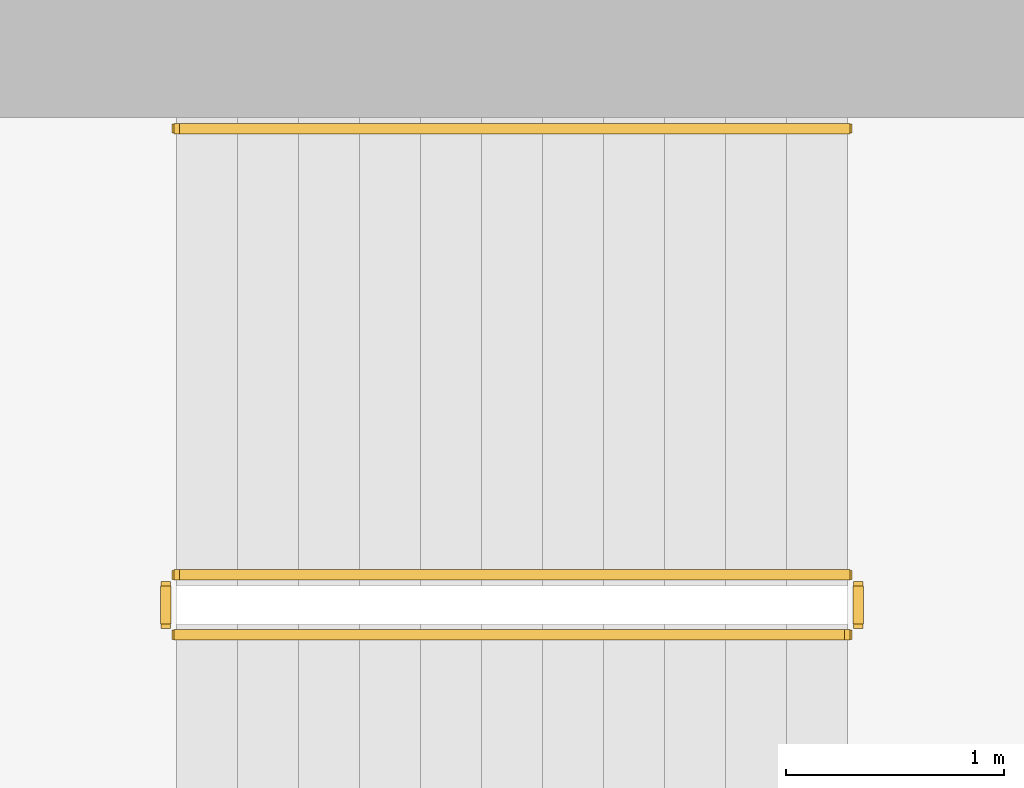
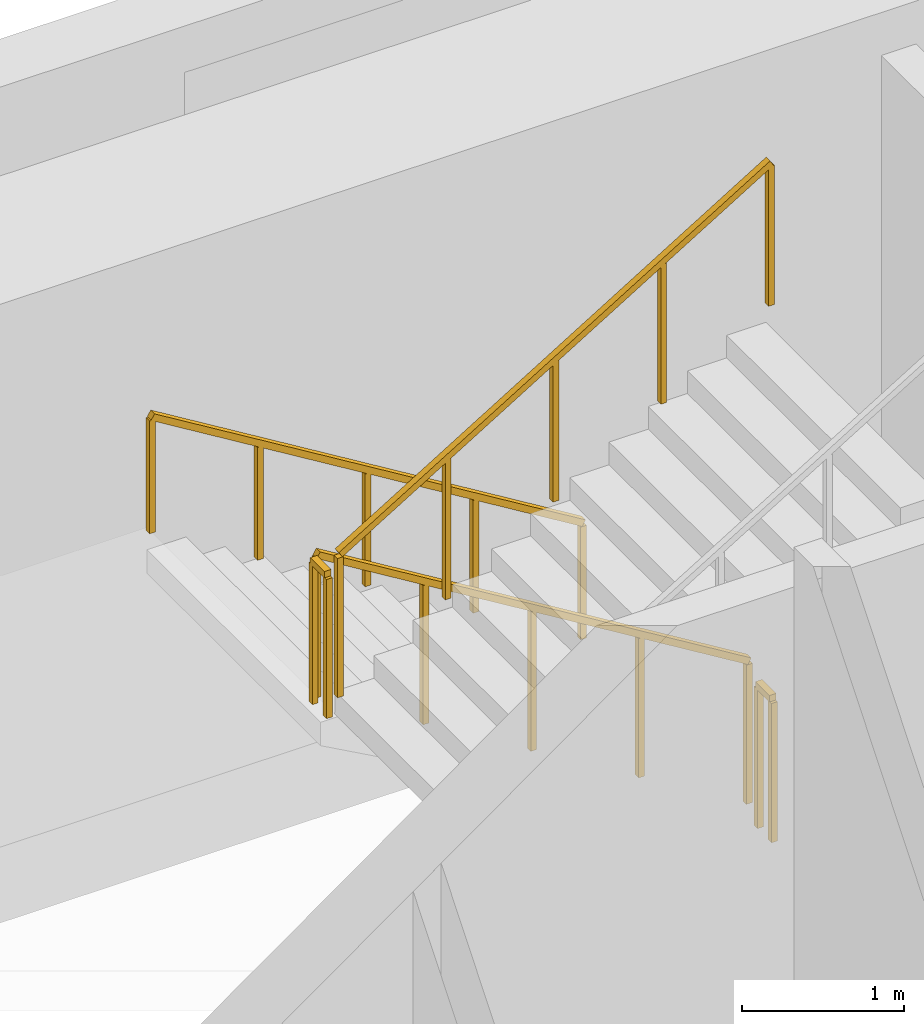
# One storey, part 13 of 14: 5 railings.
"""IFC4 building model written with IfcOpenShell, lengths in metres."""

import ifcopenshell
import ifcopenshell.guid

model = None  # the IFC model being written
_history = None  # IfcOwnerHistory: only IFC2X3 demands one
_inside = {}  # id of a spatial element -> (the spatial element, [elements in it])
_under = {}  # id of a project, library or spatial element -> (it, [spatial elements below it])
_declared = {}  # id of a project -> (the project, [libraries it declares])
_typed = {}  # id of a type object -> (the type object, [elements of that type])
_made_of = {}  # id of a material, layer set ... -> (it, [elements and type objects made of it])


def new_model(schema):
    """Start an empty IFC model of exactly this schema.

    Asked for "IFC4X3", IfcOpenShell would pick the latest addendum, in which some entities
    have other attributes; the version numbers below select the first issue.
    IFC2X3 requires an IfcOwnerHistory on every rooted entity: one is made here for all.
    """
    global model, _history
    if schema == "IFC4X3":
        model = ifcopenshell.file(schema_version=(4, 3, 0, 0))
    else:
        model = ifcopenshell.file(schema=schema)
    _inside.clear()
    _under.clear()
    _declared.clear()
    _typed.clear()
    _made_of.clear()
    _history = None
    if model.schema == "IFC2X3":
        org = make("IfcOrganization", Name="unknown")
        user = make(
            "IfcPersonAndOrganization",
            ThePerson=make("IfcPerson", FamilyName="unknown"),
            TheOrganization=org,
        )
        app = make(
            "IfcApplication",
            ApplicationDeveloper=org,
            Version="unknown",
            ApplicationFullName="unknown",
            ApplicationIdentifier="unknown",
        )
        _history = make(
            "IfcOwnerHistory",
            OwningUser=user,
            OwningApplication=app,
            ChangeAction="ADDED",
            CreationDate=0,
        )
    return model


def make(cls, **values):
    """One entity of the class cls with the attributes given. An attribute that is None is left unset."""
    return model.create_entity(
        cls, **{name: value for name, value in values.items() if value is not None}
    )


def rooted(cls, **values):
    """An entity with a GlobalId (a new one), such as an element, a storey or a relation."""
    return make(cls, GlobalId=ifcopenshell.guid.new(), OwnerHistory=_history, **values)


def si_unit(unit_type, name, prefix=None):
    """IfcSIUnit, for example si_unit("LENGTHUNIT", "METRE", prefix="MILLI")."""
    return make("IfcSIUnit", UnitType=unit_type, Prefix=prefix, Name=name)


def assignment(units):
    """IfcUnitAssignment: the units of a project."""
    return None if units is None else make("IfcUnitAssignment", Units=units)


def point(xyz):
    """IfcCartesianPoint."""
    return None if xyz is None else make("IfcCartesianPoint", Coordinates=xyz)


def direction(xyz):
    """IfcDirection."""
    return None if xyz is None else make("IfcDirection", DirectionRatios=xyz)


def frame(location, z_axis=None, x_axis=None):
    """IfcAxis2Placement3D, a coordinate frame: its origin and axes. An axis left out is left unset."""
    return make(
        "IfcAxis2Placement3D",
        Location=point(location),
        Axis=direction(z_axis),
        RefDirection=direction(x_axis),
    )


def frame_2d(location, x_axis=None):
    """IfcAxis2Placement2D, a coordinate frame in the plane: its origin and x axis."""
    return make(
        "IfcAxis2Placement2D", Location=point(location), RefDirection=direction(x_axis)
    )


def origin():
    """The frame at (0, 0, 0) with its axes left unset."""
    return frame((0.0, 0.0, 0.0))


def origin_2d():
    """The frame at (0, 0) in the plane with its x axis left unset."""
    return frame_2d((0.0, 0.0))


def place(relative_to, where):
    """IfcLocalPlacement: puts the frame where relative to a parent placement (None: the world)."""
    return make(
        "IfcLocalPlacement", PlacementRelTo=relative_to, RelativePlacement=where
    )


def context(
    kind, dimensions, precision=None, world=None, true_north=None, identifier=None
):
    """IfcGeometricRepresentationContext, for example the 3D "Model" context."""
    return make(
        "IfcGeometricRepresentationContext",
        ContextIdentifier=identifier,
        ContextType=kind,
        CoordinateSpaceDimension=dimensions,
        Precision=precision,
        WorldCoordinateSystem=world,
        TrueNorth=true_north,
    )


def subcontext(parent, identifier, kind, view, scale=None):
    """IfcGeometricRepresentationSubContext, for example "Body" below "Model"."""
    return make(
        "IfcGeometricRepresentationSubContext",
        ContextIdentifier=identifier,
        ContextType=kind,
        ParentContext=parent,
        TargetScale=scale,
        TargetView=view,
    )


def project(units=None, contexts=None):
    """IfcProject with its units and contexts."""
    return rooted(
        "IfcProject",
        Name="project",
        RepresentationContexts=contexts,
        UnitsInContext=assignment(units),
    )


def spatial(cls, under=None, at=None, **own):
    """A site, building, storey or space (cls), placed at a placement, below another one or the project."""
    s = rooted(cls, ObjectPlacement=at, **own)
    if under is not None:
        _under.setdefault(under.id(), (under, []))[1].append(s)
    return s


def profile(cls, at=None, kind="AREA", **sizes):
    """A parametric profile (cls). Its sizes go by their IFC names, for example OverallWidth=200.0."""
    return make(cls, ProfileType=kind, Position=at, **sizes)


def rectangle(**sizes):
    """IfcRectangleProfileDef."""
    return profile("IfcRectangleProfileDef", **sizes)


def extrude(swept, where, along, depth):
    """IfcExtrudedAreaSolid: the profile swept, set in the frame where, extruded along a direction by depth."""
    return make(
        "IfcExtrudedAreaSolid",
        SweptArea=swept,
        Position=where,
        ExtrudedDirection=direction(along),
        Depth=depth,
    )


def shape(context_of_items, identifier, shape_type, items):
    """IfcShapeRepresentation: the items that make up one representation, for example the "Body"."""
    return make(
        "IfcShapeRepresentation",
        ContextOfItems=context_of_items,
        RepresentationIdentifier=identifier,
        RepresentationType=shape_type,
        Items=items,
    )


def material(Name=None, Category=None):
    """IfcMaterial."""
    return make("IfcMaterial", Name=Name, Category=Category)


def made_of(thing, what):
    """Note that an element or type object is made of a material, layer set ...; save() writes the relation."""
    if what is not None:
        _made_of.setdefault(what.id(), (what, []))[1].append(thing)
    return thing


def type_object(cls, material=None, **own):
    """A type object (cls), such as IfcWallType, which elements share."""
    return made_of(rooted(cls, **own), material)


def element(
    cls,
    number,
    at=None,
    inside=None,
    cuts=None,
    type_object=None,
    material=None,
    context=None,
    identifier="Body",
    shape_type=None,
    held_by="IfcProductDefinitionShape",
    body=None,
    shapes=None,
    **own,
):
    """One element of the class cls, such as IfcWall. Its Tag is "e" and its number.

    at: its placement. inside: the storey or other place that contains it. cuts: it is an
    opening in that element (IfcRelVoidsElement). A single representation is given by context,
    identifier, shape_type and body (its items); several are given by shapes. held_by: the class
    of the entity that holds the representations. save() writes the other relations.
    """
    e = rooted(cls, Tag="e%d" % number, ObjectPlacement=at, **own)
    if body is not None:
        shapes = [shape(context, identifier, shape_type, body)]
    if shapes is not None:
        e.Representation = make(held_by, Representations=shapes)
    if inside is not None:
        _inside.setdefault(inside.id(), (inside, []))[1].append(e)
    if cuts is not None:
        rooted(
            "IfcRelVoidsElement", RelatingBuildingElement=cuts, RelatedOpeningElement=e
        )
    if type_object is not None:
        _typed.setdefault(type_object.id(), (type_object, []))[1].append(e)
    return made_of(e, material)


def aggregate(whole, parts):
    """IfcRelAggregates: a whole, such as a stair, and the parts it consists of."""
    return rooted("IfcRelAggregates", RelatingObject=whole, RelatedObjects=parts)


def save(model, path):
    """Write the relations noted so far, then the file.

    IfcRelAggregates (storeys below a building ...), IfcRelContainedInSpatialStructure (elements
    in a storey), IfcRelDefinesByType, IfcRelAssociatesMaterial and IfcRelDeclares: one each for
    every whole, place, type object, material and project.
    """
    for whole, parts in _under.values():
        aggregate(whole, parts)
    for where, things in _inside.values():
        rooted(
            "IfcRelContainedInSpatialStructure",
            RelatedElements=things,
            RelatingStructure=where,
        )
    for kind, things in _typed.values():
        rooted("IfcRelDefinesByType", RelatedObjects=things, RelatingType=kind)
    for what, things in _made_of.values():
        rooted("IfcRelAssociatesMaterial", RelatedObjects=things, RelatingMaterial=what)
    for by, libraries in _declared.values():
        rooted("IfcRelDeclares", RelatingContext=by, RelatedDefinitions=libraries)
    model.write(path)


model = new_model("IFC4")

# Units and contexts
model_context = context("Model", 3, precision=1e-05, world=origin(), true_north=direction((0.0, 1.0)))
body_context = subcontext(model_context, "Body", "Model", "MODEL_VIEW")
ifc_project = project(units=[si_unit("LENGTHUNIT", "METRE"), si_unit("AREAUNIT", "SQUARE_METRE"), si_unit("VOLUMEUNIT", "CUBIC_METRE"), si_unit("PLANEANGLEUNIT", "RADIAN"), si_unit("MASSUNIT", "GRAM", prefix="KILO")], contexts=[model_context])

# Site, building, storey
site_placement = place(None, origin())
site = spatial("IfcSite", under=ifc_project, at=site_placement, CompositionType="ELEMENT")
building_placement = place(site_placement, origin())
building = spatial("IfcBuilding", under=site, at=building_placement, Name="Cypress Arch Tower", CompositionType="ELEMENT")
storey_placement = place(building_placement, frame((0.0, 0.0, 276.199951171875)))
storey = spatial("IfcBuildingStorey", under=building, at=storey_placement, Name="L62", CompositionType="ELEMENT", Elevation=276.199951171875)

# Railings
ifc_material_1 = material(Name="Black powder-coated steel square bar 48 mm", Category="steel")
railing_type_1 = type_object("IfcRailingType", Name="Stair handrail HR1", PredefinedType="HANDRAIL", material=ifc_material_1)
railing_1_placement = place(storey_placement, frame((-22.27490234375, 14.75, 0.1708984375)))
element("IfcRailing", 1, at=railing_1_placement, inside=storey, type_object=railing_type_1, Name="L62 B stair handrail 1", PredefinedType="HANDRAIL", context=body_context, shape_type="SweptSolid", body=[
    extrude(rectangle(XDim=0.048095703125, YDim=0.048095703125, at=origin_2d()), frame((0.0, 0.0, 0.8759765625), z_axis=(-0.853666305674, 0.0, 0.52082035152), x_axis=(0.0, -1.0, 0.0)), (0.0, 0.0, 1.0), 3.608154296875),
    extrude(rectangle(XDim=0.0419921875, YDim=0.0419921875, at=origin_2d()), origin(), (0.0, 0.0, 1.0), 0.851806640625),
    extrude(rectangle(XDim=0.0419921875, YDim=0.0419921875, at=origin_2d()), frame((-0.77001953125, 0.0, 0.4697265625)), (0.0, 0.0, 1.0), 0.851806640625),
    extrude(rectangle(XDim=0.0419921875, YDim=0.0419921875, at=origin_2d()), frame((-1.5400390625, 0.0, 0.939453125)), (0.0, 0.0, 1.0), 0.851806640625),
    extrude(rectangle(XDim=0.0419921875, YDim=0.0419921875, at=origin_2d()), frame((-2.31005859375, 0.0, 1.409423828125)), (0.0, 0.0, 1.0), 0.851806640625),
    extrude(rectangle(XDim=0.0419921875, YDim=0.0419921875, at=origin_2d()), frame((-3.080078125, 0.0, 1.879150390625)), (0.0, 0.0, 1.0), 0.851806640625),
])
ifc_material_2 = material(Name="Black powder-coated steel balusters", Category="steel")
railing_type_2 = type_object("IfcRailingType", Name="Stair well guard G1", PredefinedType="GUARDRAIL", material=ifc_material_2)
railing_2_placement = place(storey_placement, frame((-22.27490234375, 12.699951171875, 0.1708984375)))
element("IfcRailing", 2, at=railing_2_placement, inside=storey, type_object=railing_type_2, Name="L62 B stair guard 1", PredefinedType="GUARDRAIL", context=body_context, shape_type="SweptSolid", body=[
    extrude(rectangle(XDim=0.048095703125, YDim=0.048095703125, at=origin_2d()), frame((0.0, 0.0, 1.076171875), z_axis=(-0.853666305674, 0.0, 0.52082035152), x_axis=(0.0, -1.0, 0.0)), (0.0, 0.0, 1.0), 3.608154296875),
    extrude(rectangle(XDim=0.0419921875, YDim=0.0419921875, at=origin_2d()), origin(), (0.0, 0.0, 1.0), 1.052001953125),
    extrude(rectangle(XDim=0.0419921875, YDim=0.0419921875, at=origin_2d()), frame((-0.77001953125, 0.0, 0.4697265625)), (0.0, 0.0, 1.0), 1.052001953125),
    extrude(rectangle(XDim=0.0419921875, YDim=0.0419921875, at=origin_2d()), frame((-1.5400390625, 0.0, 0.939453125)), (0.0, 0.0, 1.0), 1.052001953125),
    extrude(rectangle(XDim=0.0419921875, YDim=0.0419921875, at=origin_2d()), frame((-2.31005859375, 0.0, 1.409423828125)), (0.0, 0.0, 1.0), 1.052001953125),
    extrude(rectangle(XDim=0.0419921875, YDim=0.0419921875, at=origin_2d()), frame((-3.080078125, 0.0, 1.879150390625)), (0.0, 0.0, 1.0), 1.052001953125),
])
railing_3_placement = place(storey_placement, frame((-25.405029296875, 12.64990234375, 2.050048828125)))
element("IfcRailing", 3, at=railing_3_placement, inside=storey, type_object=railing_type_2, Name="L62 B stair guard 2", PredefinedType="GUARDRAIL", context=body_context, shape_type="SweptSolid", body=[
    extrude(rectangle(XDim=0.048095703125, YDim=0.048095703125, at=origin_2d()), frame((0.0, 0.0, 1.076171875), z_axis=(0.0, -1.0, 0.0), x_axis=(1.0, 0.0, 0.0)), (0.0, 0.0, 1.0), 0.1748046875),
    extrude(rectangle(XDim=0.0419921875, YDim=0.0419921875, at=origin_2d()), origin(), (0.0, 0.0, 1.0), 1.052001953125),
    extrude(rectangle(XDim=0.0419921875, YDim=0.0419921875, at=origin_2d()), frame((0.0, -0.1748046875, 0.0)), (0.0, 0.0, 1.0), 1.052001953125),
])
railing_4_placement = place(storey_placement, frame((-25.35498046875, 12.425048828125, 2.220947265625)))
element("IfcRailing", 4, at=railing_4_placement, inside=storey, type_object=railing_type_2, Name="L62 B stair guard 3", PredefinedType="GUARDRAIL", context=body_context, shape_type="SweptSolid", body=[
    extrude(rectangle(XDim=0.048095703125, YDim=0.048095703125, at=origin_2d()), frame((0.0, 0.0, 1.076171875), z_axis=(0.853666305674, 0.0, 0.52082035152), x_axis=(0.0, 1.0, 0.0)), (0.0, 0.0, 1.0), 3.608154296875),
    extrude(rectangle(XDim=0.0419921875, YDim=0.0419921875, at=origin_2d()), origin(), (0.0, 0.0, 1.0), 1.052001953125),
    extrude(rectangle(XDim=0.0419921875, YDim=0.0419921875, at=origin_2d()), frame((0.77001953125, 0.0, 0.4697265625)), (0.0, 0.0, 1.0), 1.052001953125),
    extrude(rectangle(XDim=0.0419921875, YDim=0.0419921875, at=origin_2d()), frame((1.5400390625, 0.0, 0.939453125)), (0.0, 0.0, 1.0), 1.052001953125),
    extrude(rectangle(XDim=0.0419921875, YDim=0.0419921875, at=origin_2d()), frame((2.31005859375, 0.0, 1.409423828125)), (0.0, 0.0, 1.0), 1.052001953125),
    extrude(rectangle(XDim=0.0419921875, YDim=0.0419921875, at=origin_2d()), frame((3.080078125, 0.0, 1.879150390625)), (0.0, 0.0, 1.0), 1.052001953125),
])
railing_5_placement = place(storey_placement, frame((-22.22509765625, 12.64990234375, 0.0)))
element("IfcRailing", 5, at=railing_5_placement, inside=storey, type_object=railing_type_2, Name="L62 B stair guard 4", PredefinedType="GUARDRAIL", context=body_context, shape_type="SweptSolid", body=[
    extrude(rectangle(XDim=0.048095703125, YDim=0.048095703125, at=origin_2d()), frame((0.0, 0.0, 1.076171875), z_axis=(0.0, -1.0, 0.0), x_axis=(1.0, 0.0, 0.0)), (0.0, 0.0, 1.0), 0.1748046875),
    extrude(rectangle(XDim=0.0419921875, YDim=0.0419921875, at=origin_2d()), origin(), (0.0, 0.0, 1.0), 1.052001953125),
    extrude(rectangle(XDim=0.0419921875, YDim=0.0419921875, at=origin_2d()), frame((0.0, -0.1748046875, 0.0)), (0.0, 0.0, 1.0), 1.052001953125),
])

save(model, "model.ifc")
